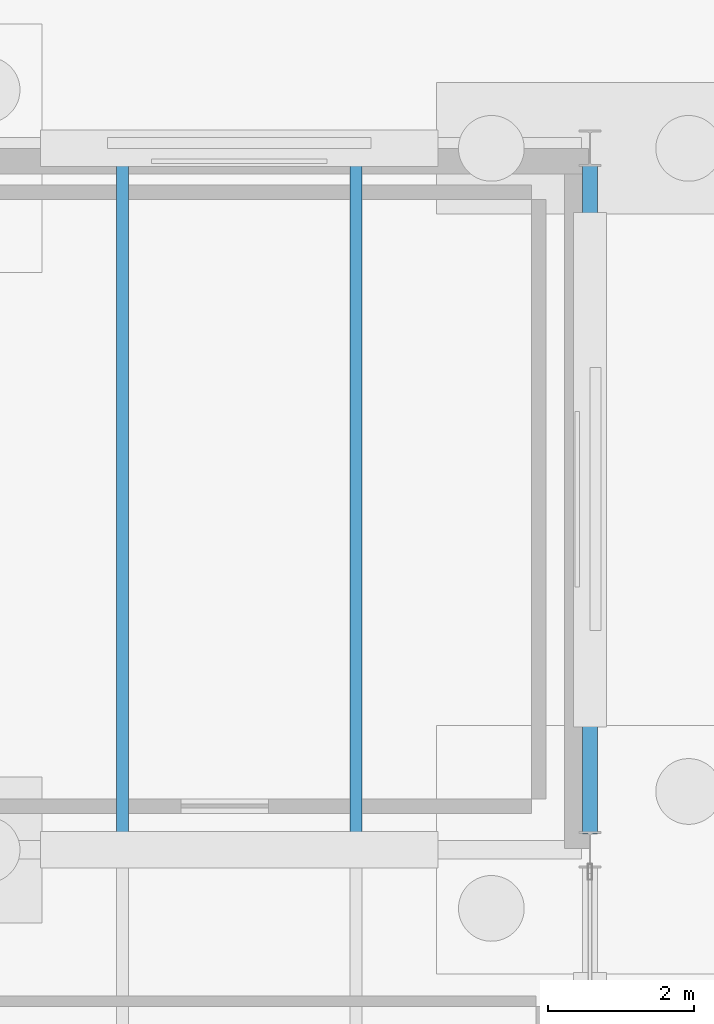
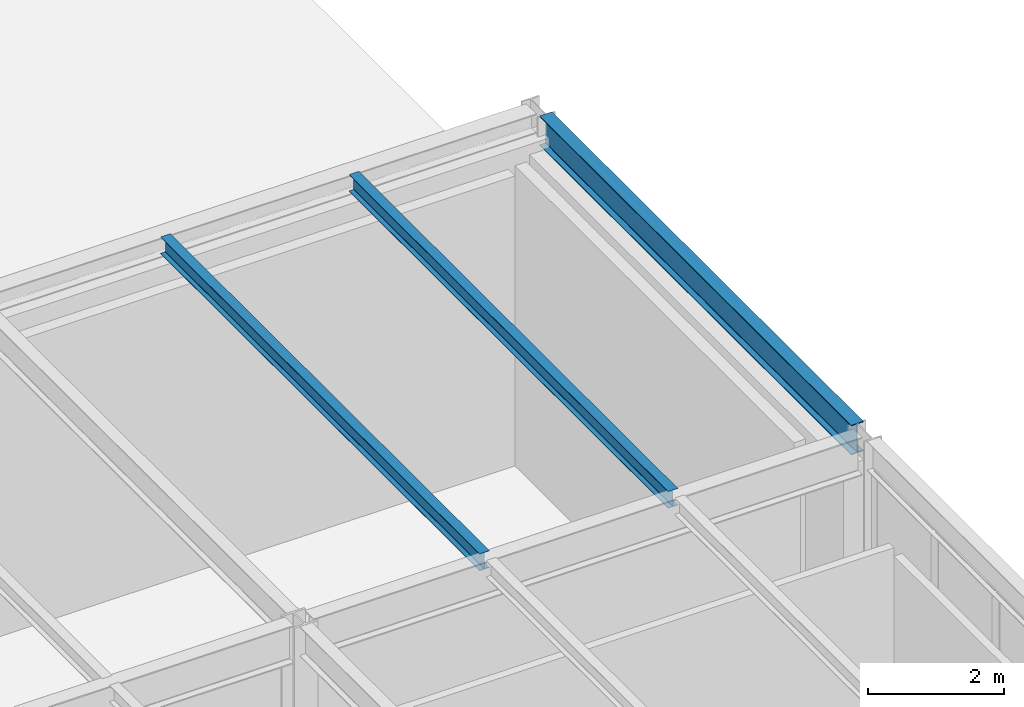
# One storey, part 92 of 142: 3 beams.
"""IFC4 building model written with IfcOpenShell, lengths in metres."""

import ifcopenshell
import ifcopenshell.guid

model = None  # the IFC model being written
_history = None  # IfcOwnerHistory: only IFC2X3 demands one
_inside = {}  # id of a spatial element -> (the spatial element, [elements in it])
_under = {}  # id of a project, library or spatial element -> (it, [spatial elements below it])
_declared = {}  # id of a project -> (the project, [libraries it declares])
_typed = {}  # id of a type object -> (the type object, [elements of that type])
_made_of = {}  # id of a material, layer set ... -> (it, [elements and type objects made of it])


def new_model(schema):
    """Start an empty IFC model of exactly this schema.

    Asked for "IFC4X3", IfcOpenShell would pick the latest addendum, in which some entities
    have other attributes; the version numbers below select the first issue.
    IFC2X3 requires an IfcOwnerHistory on every rooted entity: one is made here for all.
    """
    global model, _history
    if schema == "IFC4X3":
        model = ifcopenshell.file(schema_version=(4, 3, 0, 0))
    else:
        model = ifcopenshell.file(schema=schema)
    _inside.clear()
    _under.clear()
    _declared.clear()
    _typed.clear()
    _made_of.clear()
    _history = None
    if model.schema == "IFC2X3":
        org = make("IfcOrganization", Name="unknown")
        user = make(
            "IfcPersonAndOrganization",
            ThePerson=make("IfcPerson", FamilyName="unknown"),
            TheOrganization=org,
        )
        app = make(
            "IfcApplication",
            ApplicationDeveloper=org,
            Version="unknown",
            ApplicationFullName="unknown",
            ApplicationIdentifier="unknown",
        )
        _history = make(
            "IfcOwnerHistory",
            OwningUser=user,
            OwningApplication=app,
            ChangeAction="ADDED",
            CreationDate=0,
        )
    return model


def make(cls, **values):
    """One entity of the class cls with the attributes given. An attribute that is None is left unset."""
    return model.create_entity(
        cls, **{name: value for name, value in values.items() if value is not None}
    )


def rooted(cls, **values):
    """An entity with a GlobalId (a new one), such as an element, a storey or a relation."""
    return make(cls, GlobalId=ifcopenshell.guid.new(), OwnerHistory=_history, **values)


def si_unit(unit_type, name, prefix=None):
    """IfcSIUnit, for example si_unit("LENGTHUNIT", "METRE", prefix="MILLI")."""
    return make("IfcSIUnit", UnitType=unit_type, Prefix=prefix, Name=name)


def assignment(units):
    """IfcUnitAssignment: the units of a project."""
    return None if units is None else make("IfcUnitAssignment", Units=units)


def point(xyz):
    """IfcCartesianPoint."""
    return None if xyz is None else make("IfcCartesianPoint", Coordinates=xyz)


def direction(xyz):
    """IfcDirection."""
    return None if xyz is None else make("IfcDirection", DirectionRatios=xyz)


def frame(location, z_axis=None, x_axis=None):
    """IfcAxis2Placement3D, a coordinate frame: its origin and axes. An axis left out is left unset."""
    return make(
        "IfcAxis2Placement3D",
        Location=point(location),
        Axis=direction(z_axis),
        RefDirection=direction(x_axis),
    )


def frame_2d(location, x_axis=None):
    """IfcAxis2Placement2D, a coordinate frame in the plane: its origin and x axis."""
    return make(
        "IfcAxis2Placement2D", Location=point(location), RefDirection=direction(x_axis)
    )


def origin():
    """The frame at (0, 0, 0) with its axes left unset."""
    return frame((0.0, 0.0, 0.0))


def origin_2d():
    """The frame at (0, 0) in the plane with its x axis left unset."""
    return frame_2d((0.0, 0.0))


def place(relative_to, where):
    """IfcLocalPlacement: puts the frame where relative to a parent placement (None: the world)."""
    return make(
        "IfcLocalPlacement", PlacementRelTo=relative_to, RelativePlacement=where
    )


def context(
    kind, dimensions, precision=None, world=None, true_north=None, identifier=None
):
    """IfcGeometricRepresentationContext, for example the 3D "Model" context."""
    return make(
        "IfcGeometricRepresentationContext",
        ContextIdentifier=identifier,
        ContextType=kind,
        CoordinateSpaceDimension=dimensions,
        Precision=precision,
        WorldCoordinateSystem=world,
        TrueNorth=true_north,
    )


def subcontext(parent, identifier, kind, view, scale=None):
    """IfcGeometricRepresentationSubContext, for example "Body" below "Model"."""
    return make(
        "IfcGeometricRepresentationSubContext",
        ContextIdentifier=identifier,
        ContextType=kind,
        ParentContext=parent,
        TargetScale=scale,
        TargetView=view,
    )


def project(units=None, contexts=None):
    """IfcProject with its units and contexts."""
    return rooted(
        "IfcProject",
        Name="project",
        RepresentationContexts=contexts,
        UnitsInContext=assignment(units),
    )


def spatial(cls, under=None, at=None, **own):
    """A site, building, storey or space (cls), placed at a placement, below another one or the project."""
    s = rooted(cls, ObjectPlacement=at, **own)
    if under is not None:
        _under.setdefault(under.id(), (under, []))[1].append(s)
    return s


def profile(cls, at=None, kind="AREA", **sizes):
    """A parametric profile (cls). Its sizes go by their IFC names, for example OverallWidth=200.0."""
    return make(cls, ProfileType=kind, Position=at, **sizes)


def i_section(**sizes):
    """IfcIShapeProfileDef."""
    return profile("IfcIShapeProfileDef", **sizes)


def extrude(swept, where, along, depth):
    """IfcExtrudedAreaSolid: the profile swept, set in the frame where, extruded along a direction by depth."""
    return make(
        "IfcExtrudedAreaSolid",
        SweptArea=swept,
        Position=where,
        ExtrudedDirection=direction(along),
        Depth=depth,
    )


def shape(context_of_items, identifier, shape_type, items):
    """IfcShapeRepresentation: the items that make up one representation, for example the "Body"."""
    return make(
        "IfcShapeRepresentation",
        ContextOfItems=context_of_items,
        RepresentationIdentifier=identifier,
        RepresentationType=shape_type,
        Items=items,
    )


def material(Name=None, Category=None):
    """IfcMaterial."""
    return make("IfcMaterial", Name=Name, Category=Category)


def material_profile(
    of_material, cross_section, Name=None, Category=None, Priority=None
):
    """IfcMaterialProfile: a cross section and its material."""
    return make(
        "IfcMaterialProfile",
        Name=Name,
        Material=of_material,
        Profile=cross_section,
        Priority=Priority,
        Category=Category,
    )


def profile_set(profiles, Name=None, composite=None):
    """IfcMaterialProfileSet."""
    return make(
        "IfcMaterialProfileSet",
        Name=Name,
        MaterialProfiles=profiles,
        CompositeProfile=composite,
    )


def made_of(thing, what):
    """Note that an element or type object is made of a material, layer set ...; save() writes the relation."""
    if what is not None:
        _made_of.setdefault(what.id(), (what, []))[1].append(thing)
    return thing


def type_object(cls, material=None, **own):
    """A type object (cls), such as IfcWallType, which elements share."""
    return made_of(rooted(cls, **own), material)


def element(
    cls,
    number,
    at=None,
    inside=None,
    cuts=None,
    type_object=None,
    material=None,
    context=None,
    identifier="Body",
    shape_type=None,
    held_by="IfcProductDefinitionShape",
    body=None,
    shapes=None,
    **own,
):
    """One element of the class cls, such as IfcWall. Its Tag is "e" and its number.

    at: its placement. inside: the storey or other place that contains it. cuts: it is an
    opening in that element (IfcRelVoidsElement). A single representation is given by context,
    identifier, shape_type and body (its items); several are given by shapes. held_by: the class
    of the entity that holds the representations. save() writes the other relations.
    """
    e = rooted(cls, Tag="e%d" % number, ObjectPlacement=at, **own)
    if body is not None:
        shapes = [shape(context, identifier, shape_type, body)]
    if shapes is not None:
        e.Representation = make(held_by, Representations=shapes)
    if inside is not None:
        _inside.setdefault(inside.id(), (inside, []))[1].append(e)
    if cuts is not None:
        rooted(
            "IfcRelVoidsElement", RelatingBuildingElement=cuts, RelatedOpeningElement=e
        )
    if type_object is not None:
        _typed.setdefault(type_object.id(), (type_object, []))[1].append(e)
    return made_of(e, material)


def aggregate(whole, parts):
    """IfcRelAggregates: a whole, such as a stair, and the parts it consists of."""
    return rooted("IfcRelAggregates", RelatingObject=whole, RelatedObjects=parts)


def save(model, path):
    """Write the relations noted so far, then the file.

    IfcRelAggregates (storeys below a building ...), IfcRelContainedInSpatialStructure (elements
    in a storey), IfcRelDefinesByType, IfcRelAssociatesMaterial and IfcRelDeclares: one each for
    every whole, place, type object, material and project.
    """
    for whole, parts in _under.values():
        aggregate(whole, parts)
    for where, things in _inside.values():
        rooted(
            "IfcRelContainedInSpatialStructure",
            RelatedElements=things,
            RelatingStructure=where,
        )
    for kind, things in _typed.values():
        rooted("IfcRelDefinesByType", RelatedObjects=things, RelatingType=kind)
    for what, things in _made_of.values():
        rooted("IfcRelAssociatesMaterial", RelatedObjects=things, RelatingMaterial=what)
    for by, libraries in _declared.values():
        rooted("IfcRelDeclares", RelatingContext=by, RelatedDefinitions=libraries)
    model.write(path)


model = new_model("IFC4")

# Units and contexts
model_context = context("Model", 3, precision=1e-05, world=origin(), true_north=direction((0.0, 1.0)))
body_context = subcontext(model_context, "Body", "Model", "MODEL_VIEW")
ifc_project = project(units=[si_unit("LENGTHUNIT", "METRE"), si_unit("AREAUNIT", "SQUARE_METRE"), si_unit("VOLUMEUNIT", "CUBIC_METRE"), si_unit("PLANEANGLEUNIT", "RADIAN"), si_unit("MASSUNIT", "GRAM", prefix="KILO")], contexts=[model_context])

# Site, building, storey
site_placement = place(None, origin())
site = spatial("IfcSite", under=ifc_project, at=site_placement, CompositionType="ELEMENT")
building_placement = place(site_placement, origin())
building = spatial("IfcBuilding", under=site, at=building_placement, Name="Coralgate Yard Interchange", CompositionType="ELEMENT")
storey_placement = place(building_placement, origin())
storey = spatial("IfcBuildingStorey", under=building, at=storey_placement, Name="L00", CompositionType="ELEMENT", Elevation=0.0)

# Beams
ifc_material = material(Name="Structural steel S355J2", Category="steel")
ifc_material_profile_1 = material_profile(ifc_material, i_section(OverallWidth=0.209228515625, OverallDepth=0.533203125, WebThickness=0.010009765625, FlangeThickness=0.015625, FilletRadius=0.0126953125, at=origin_2d()), Name="UB 533x210x92")
ifc_profile_set_1 = profile_set([ifc_material_profile_1], Name="Structural steel S355J2")
beam_type_1 = type_object("IfcBeamType", Name="BM-SB-1", PredefinedType="BEAM", material=ifc_profile_set_1)
beam_placement = place(storey_placement, frame((182.39990234375, 38.6201171875, 5.4833984375), z_axis=(0.0, 1.0, 0.0), x_axis=(-1.0, 0.0, 0.0)))
element("IfcBeam", 1, at=beam_placement, inside=storey, type_object=beam_type_1, Name="L00 primary grid girder X19 Y4-5", PredefinedType="BEAM", context=body_context, shape_type="SweptSolid", body=[
    extrude(i_section(OverallWidth=0.209228515625, OverallDepth=0.533203125, WebThickness=0.010009765625, FlangeThickness=0.015625, FilletRadius=0.0126953125, at=origin_2d()), origin(), (0.0, 0.0, 1.0), 9.159912109375),
])
ifc_material_profile_2 = material_profile(ifc_material, i_section(OverallWidth=0.1650390625, OverallDepth=0.303466796875, WebThickness=0.006103515625, FlangeThickness=0.01025390625, FilletRadius=0.0087890625, at=origin_2d()), Name="UB 305x165x40")
ifc_profile_set_2 = profile_set([ifc_material_profile_2], Name="Structural steel S355J2")
beam_type_2 = type_object("IfcBeamType", Name="BM-SJ-1", PredefinedType="JOIST", material=ifc_profile_set_2)
for number, where, z_axis, x_axis, name in (
    (2, (176.0, 38.496826171875, 5.598388671875), (0.0, 1.0, 0.0), (-1.0, 0.0, 0.0), "L00 composite floor joist 18-4-1"),
    (3, (179.199951171875, 38.496826171875, 5.598388671875), (0.0, 1.0, 0.0), (-1.0, 0.0, 0.0), "L00 composite floor joist 18-4-2"),
):
    element("IfcBeam", number, at=place(storey_placement, frame(where, z_axis=z_axis, x_axis=x_axis)), inside=storey, type_object=beam_type_2, Name=name, PredefinedType="JOIST", context=body_context, shape_type="SweptSolid", body=[
        extrude(i_section(OverallWidth=0.1650390625, OverallDepth=0.303466796875, WebThickness=0.006103515625, FlangeThickness=0.01025390625, FilletRadius=0.0087890625, at=origin_2d()), origin(), (0.0, 0.0, 1.0), 9.383056640625),
    ])

save(model, "model.ifc")
